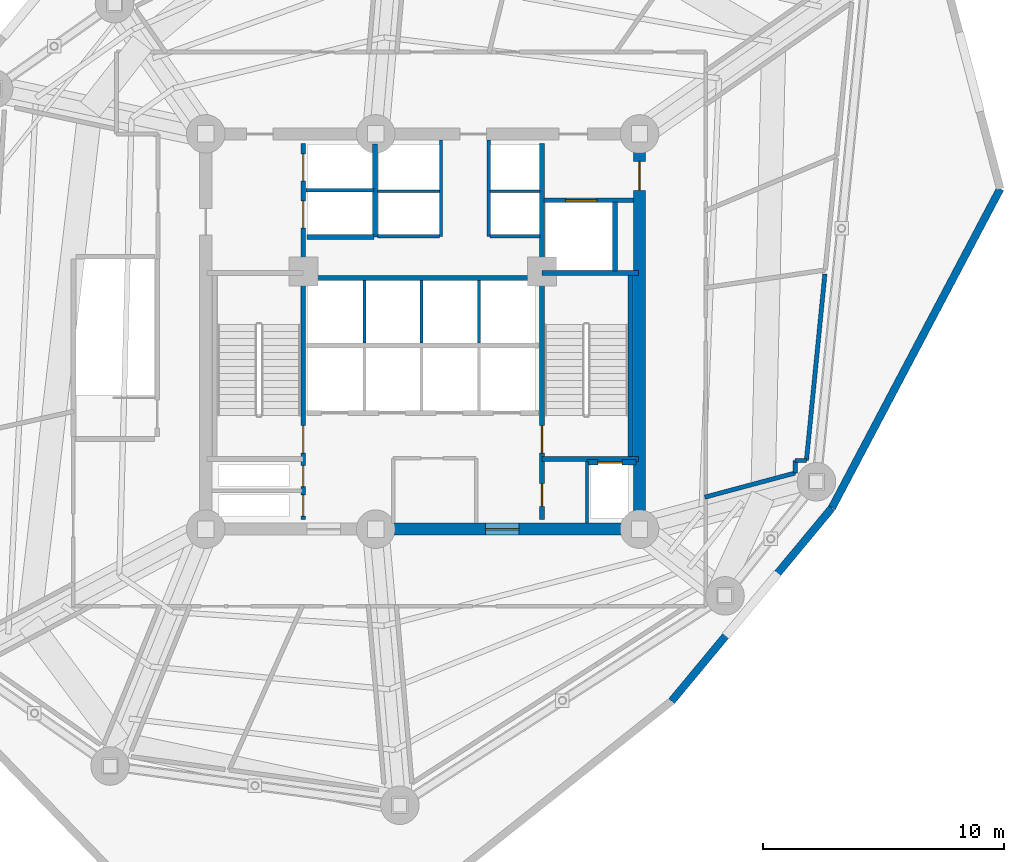
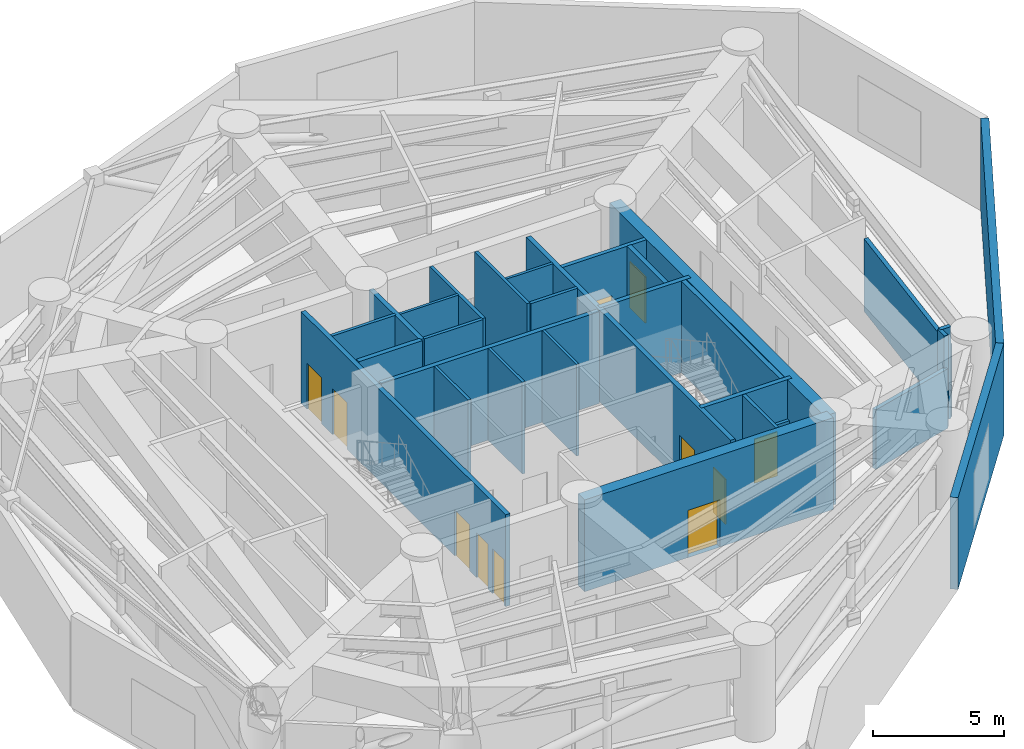
# One storey, part 8 of 13: 30 walls, 11 doors, 11 openings.
"""IFC4 building model written with IfcOpenShell, lengths in metres."""

from ifc_helpers import new_model, si_unit, direction, frame, frame_2d, origin, origin_with_axes, place, context, subcontext, project, spatial, rectangle, extrude, source, transform, mapped, material, layer, layer_set, type_object, element, fill, save


model = new_model("IFC4")

# Units and contexts
model_context = context("Model", 3, precision=1e-05, world=origin(), true_north=direction((0.0, 1.0)))
body_context = subcontext(model_context, "Body", "Model", "MODEL_VIEW")
ifc_project = project(units=[si_unit("LENGTHUNIT", "METRE"), si_unit("AREAUNIT", "SQUARE_METRE"), si_unit("VOLUMEUNIT", "CUBIC_METRE"), si_unit("PLANEANGLEUNIT", "RADIAN"), si_unit("MASSUNIT", "GRAM", prefix="KILO")], contexts=[model_context])

# Site, building, storey
site_placement = place(None, origin())
site = spatial("IfcSite", under=ifc_project, at=site_placement, CompositionType="ELEMENT")
building_placement = place(site_placement, origin())
building = spatial("IfcBuilding", under=site, at=building_placement, Name="Karkom Vertical University and Central Library", CompositionType="ELEMENT")
storey_placement = place(building_placement, frame((0.0, 0.0, 87.699951171875)))
storey = spatial("IfcBuildingStorey", under=building, at=storey_placement, Name="P23", CompositionType="ELEMENT", Elevation=87.699951171875)

# Walls
ifc_material_1 = material(Name="Brick-faced precast concrete C45/55", Category="masonry")
ifc_layer_1 = layer(ifc_material_1, 0.320068359375)
ifc_layer_set_1 = layer_set([ifc_layer_1], Name="Brick-faced precast concrete C45/55")
wall_type_1 = type_object("IfcWallType", Name="ENV-WL-BRK-320", PredefinedType="SOLIDWALL", material=ifc_layer_set_1)
wall_1_placement = place(storey_placement, frame((38.831298828125, 11.164306640625, 0.0), z_axis=(0.0, 0.0, 1.0), x_axis=(0.638490036226, 0.769630088835, 0.0)))
element("IfcWall", 1, at=wall_1_placement, inside=storey, type_object=wall_type_1, Name="Plant Level 23 Brick-Faced Precast Facade Wall 07", PredefinedType="SOLIDWALL", context=body_context, shape_type="SweptSolid", body=[
    extrude(rectangle(XDim=10.412353515625, YDim=0.320068359375, at=frame_2d((5.2060546875, 0.0))), origin(), (0.0, 0.0, 1.0), 4.275146484375),
])
wall_2_placement = place(storey_placement, frame((45.4794921875, 19.177978515625, 0.0), z_axis=(0.0, 0.0, 1.0), x_axis=(0.466622267034, 0.884456703241, 0.0)))
element("IfcWall", 2, at=wall_2_placement, inside=storey, type_object=wall_type_1, Name="Plant Level 23 Brick-Faced Precast Facade Wall 08", PredefinedType="SOLIDWALL", context=body_context, shape_type="SweptSolid", body=[
    extrude(rectangle(XDim=14.977294921875, YDim=0.320068359375, at=frame_2d((7.48876953125, 0.0))), origin(), (0.0, 0.0, 1.0), 4.275146484375),
])
ifc_material_2 = material(Name="Moisture-resistant drywall 120mm", Category="gypsum")
ifc_layer_2 = layer(ifc_material_2, 0.1201171875)
ifc_layer_set_2 = layer_set([ifc_layer_2], Name="Moisture-resistant drywall 120mm")
wall_type_2 = type_object("IfcWallType", Name="INT-WL-INT-120H", PredefinedType="PARTITIONING", material=ifc_layer_set_2)
for number, where, z_axis, x_axis, name in (
    (3, (26.080078125, 26.02001953125, 0.0), (0.0, 0.0, 1.0), (0.0, 1.0, 0.0), "Plant Level 23 Interior Partition Wall P23-CW-PM-DIV1"),
    (4, (28.4599609375, 26.02001953125, 0.0), (0.0, 0.0, 1.0), (0.0, 1.0, 0.0), "Plant Level 23 Interior Partition Wall P23-CW-PM-DIV2"),
    (5, (30.840087890625, 26.02001953125, 0.0), (0.0, 0.0, 1.0), (0.0, 1.0, 0.0), "Plant Level 23 Interior Partition Wall P23-CW-PM-DIV3"),
):
    element("IfcWall", number, at=place(storey_placement, frame(where, z_axis=z_axis, x_axis=x_axis)), inside=storey, type_object=wall_type_2, Name=name, PredefinedType="PARTITIONING", context=body_context, shape_type="SweptSolid", body=[
        extrude(rectangle(XDim=2.60009765625, YDim=0.1201171875, at=frame_2d((1.300048828125, 0.0))), origin(), (0.0, 0.0, 1.0), 4.275146484375),
    ])
wall_3_placement = place(storey_placement, frame((26.6201171875, 32.320068359375, 0.0), z_axis=(0.0, 0.0, 1.0), x_axis=(1.0, 0.0, 0.0)))
element("IfcWall", 6, at=wall_3_placement, inside=storey, type_object=wall_type_2, Name="Plant Level 23 Interior Partition Wall P23-CW-PH-MW", PredefinedType="PARTITIONING", context=body_context, shape_type="SweptSolid", body=[
    extrude(rectangle(XDim=2.579833984375, YDim=0.1201171875, at=frame_2d((1.2900390625, 0.0))), origin(), (0.0, 0.0, 1.0), 4.275146484375),
])
wall_4_placement = place(storey_placement, frame((31.300048828125, 32.320068359375, 0.0), z_axis=(0.0, 0.0, 1.0), x_axis=(1.0, 0.0, 0.0)))
element("IfcWall", 7, at=wall_4_placement, inside=storey, type_object=wall_type_2, Name="Plant Level 23 Interior Partition Wall P23-CW-PH-ME", PredefinedType="PARTITIONING", context=body_context, shape_type="SweptSolid", body=[
    extrude(rectangle(XDim=2.074951171875, YDim=0.1201171875, at=frame_2d((1.03759765625, 0.0))), origin(), (0.0, 0.0, 1.0), 4.275146484375),
])
ifc_material_3 = material(Name="Metal-stud gypsum partition 140mm", Category="gypsum")
ifc_layer_3 = layer(ifc_material_3, 0.139892578125)
ifc_layer_set_3 = layer_set([ifc_layer_3], Name="Metal-stud gypsum partition 140mm")
wall_type_3 = type_object("IfcWallType", Name="INT-WL-SUB-140H", PredefinedType="PARTITIONING", material=ifc_layer_set_3)
for number, where, z_axis, x_axis, name in (
    (8, (29.260009765625, 30.449951171875, 0.0), (0.0, 0.0, 1.0), (0.0, 1.0, 0.0), "Plant Level 23 Interior Partition Wall P23-CW-PH-W"),
    (9, (31.239990234375, 30.449951171875, 0.0), (0.0, 0.0, 1.0), (0.0, 1.0, 0.0), "Plant Level 23 Interior Partition Wall P23-CW-PH-E"),
):
    element("IfcWall", number, at=place(storey_placement, frame(where, z_axis=z_axis, x_axis=x_axis)), inside=storey, type_object=wall_type_3, Name=name, PredefinedType="PARTITIONING", context=body_context, shape_type="SweptSolid", body=[
        extrude(rectangle(XDim=3.9931640625, YDim=0.139892578125, at=frame_2d((1.99658203125, 0.0))), origin(), (0.0, 0.0, 1.0), 4.275146484375),
    ])
wall_5_placement = place(storey_placement, frame((26.6201171875, 30.449951171875, 0.0), z_axis=(0.0, 0.0, 1.0), x_axis=(1.0, 0.0, 0.0)))
element("IfcWall", 10, at=wall_5_placement, inside=storey, type_object=wall_type_3, Name="Plant Level 23 Interior Partition Wall P23-CW-PH-S1", PredefinedType="PARTITIONING", context=body_context, shape_type="SweptSolid", body=[
    extrude(rectangle(XDim=2.579833984375, YDim=0.139892578125, at=frame_2d((1.2900390625, 0.0))), origin(), (0.0, 0.0, 1.0), 4.275146484375),
])
wall_6_placement = place(storey_placement, frame((35.320068359375, 18.556884765625, 0.0), z_axis=(0.0, 0.0, 1.0), x_axis=(0.0, 1.0, 0.0)))
element("IfcWall", 11, at=wall_6_placement, inside=storey, type_object=wall_type_3, Name="Plant Level 23 Interior Partition Wall P23-CW-RIS-E", PredefinedType="PARTITIONING", context=body_context, shape_type="SweptSolid", body=[
    extrude(rectangle(XDim=2.541015625, YDim=0.139892578125, at=frame_2d((1.2705078125, 0.0))), origin(), (0.0, 0.0, 1.0), 4.275146484375),
])
wall_7_placement = place(storey_placement, frame((31.300048828125, 30.449951171875, 0.0), z_axis=(0.0, 0.0, 1.0), x_axis=(1.0, 0.0, 0.0)))
element("IfcWall", 12, at=wall_7_placement, inside=storey, type_object=wall_type_3, Name="Plant Level 23 Interior Partition Wall P23-CW-PH-S2", PredefinedType="PARTITIONING", context=body_context, shape_type="SweptSolid", body=[
    extrude(rectangle(XDim=2.074951171875, YDim=0.139892578125, at=frame_2d((1.03759765625, 0.0))), origin(), (0.0, 0.0, 1.0), 4.275146484375),
])
ifc_layer_4 = layer(ifc_material_3, 0.139892578125)
ifc_layer_set_4 = layer_set([ifc_layer_4], Name="Metal-stud gypsum partition 140mm")
wall_type_4 = type_object("IfcWallType", Name="INT-WL-SUB-140X", PredefinedType="PARTITIONING", material=ifc_layer_set_4)
wall_8_placement = place(storey_placement, frame((23.652099609375, 32.3701171875, 0.0), z_axis=(0.0, 0.0, 1.0), x_axis=(1.0, 0.0, 0.0)))
element("IfcWall", 13, at=wall_8_placement, inside=storey, type_object=wall_type_4, Name="Plant Level 23 Interior Partition Wall P23-CW-FFL-M", PredefinedType="PARTITIONING", context=body_context, shape_type="SweptSolid", body=[
    extrude(rectangle(XDim=2.827880859375, YDim=0.139892578125, at=frame_2d((1.4140625, 0.0))), origin(), (0.0, 0.0, 1.0), 4.275146484375),
])
ifc_material_4 = material(Name="Twin-stud acoustic drywall 180mm", Category="gypsum")
ifc_layer_5 = layer(ifc_material_4, 0.179931640625)
ifc_layer_set_5 = layer_set([ifc_layer_5], Name="Twin-stud acoustic drywall 180mm")
wall_type_5 = type_object("IfcWallType", Name="INT-WL-TEN-180F", PredefinedType="PARTITIONING", material=ifc_layer_set_5)
wall_9_placement = place(storey_placement, frame((45.191162109375, 28.890380859375, 0.0), z_axis=(0.0, 0.0, 1.0), x_axis=(-0.098394630049, -0.995147474889, 0.0)))
element("IfcWall", 14, at=wall_9_placement, inside=storey, type_object=wall_type_5, Name="Plant Level 23 Interior Partition Wall P23-PLCHW-020", PredefinedType="PARTITIONING", context=body_context, shape_type="SweptSolid", body=[
    extrude(rectangle(XDim=7.78125, YDim=0.179931640625, at=frame_2d((3.890625, 0.0))), origin(), (0.0, 0.0, 1.0), 3.375),
])
wall_10_placement = place(storey_placement, frame((43.9609375, 20.631591796875, 0.0), z_axis=(0.0, 0.0, 1.0), x_axis=(-0.965934033561, -0.258788413205, 0.0)))
element("IfcWall", 15, at=wall_10_placement, inside=storey, type_object=wall_type_5, Name="Plant Level 23 Interior Partition Wall P23-PLCHW-018", PredefinedType="PARTITIONING", context=body_context, shape_type="SweptSolid", body=[
    extrude(rectangle(XDim=3.88671875, YDim=0.179931640625, at=frame_2d((1.943359375, 0.0))), origin(), (0.0, 0.0, 1.0), 2.775146484375),
])

# Wall, opening, door
wall_11_placement = place(storey_placement, frame((33.534912109375, 31.949951171875, 0.0), z_axis=(0.0, 0.0, 1.0), x_axis=(1.0, 0.0, 0.0)))
wall_11 = element("IfcWall", 16, at=wall_11_placement, inside=storey, type_object=wall_type_5, Name="Plant Level 23 Interior Partition Wall P23-CW-SVL-N", PredefinedType="PARTITIONING", context=body_context, shape_type="SweptSolid", body=[
    extrude(rectangle(XDim=3.708740234375, YDim=0.179931640625, at=frame_2d((1.8544921875, 0.0))), origin(), (0.0, 0.0, 1.0), 4.275146484375),
])
opening_1_placement = place(wall_11_placement, frame((0.89990234375, 0.0, 0.0)))
opening_1 = element("IfcOpeningElement", 17, at=opening_1_placement, cuts=wall_11, Name="Opening LD-SV1", PredefinedType="OPENING", context=body_context, shape_type="SweptSolid", body=[
    extrude(rectangle(XDim=1.300048828125, YDim=2.199951171875, at=frame_2d((0.64990234375, 1.10009765625))), frame((0.0, 0.10009765625, 0.0), z_axis=(0.0, -1.0, 0.0), x_axis=(1.0, 0.0, 0.0)), (0.0, 0.0, 1.0), 0.199951171875),
])
ifc_material_5 = material(Name="Brushed stainless-steel landing door", Category="steel")
door_type_1 = type_object("IfcDoorType", Name="INT-DR-LD-SV1", OperationType="SLIDING_TO_LEFT", PredefinedType="DOOR", material=ifc_material_5)
shared_shape_1 = source(origin_with_axes(), body_context, "Body", "SweptSolid", [
    extrude(rectangle(XDim=1.300048828125, YDim=2.199951171875, at=frame_2d((0.64990234375, 1.10009765625))), frame((0.0, 0.02490234375, 0.0), z_axis=(0.0, -1.0, 0.0), x_axis=(1.0, 0.0, 0.0)), (0.0, 0.0, 1.0), 0.050048828125),
])
door_1_placement = place(opening_1_placement, origin())
door_1 = element("IfcDoor", 18, at=door_1_placement, inside=storey, type_object=door_type_1, Name="Plant Level 23 Service Lift Landing Door LD-SV1", OperationType="SLIDING_TO_LEFT", OverallHeight=2.199951171875, OverallWidth=1.300048828125, PredefinedType="DOOR", context=body_context, shape_type="MappedRepresentation", body=[
    mapped(shared_shape_1, transform((0.0, 0.0, 0.0), scale=1.0)),
])
fill(opening_1, door_1)

# Walls
wall_12_placement = place(storey_placement, frame((43.9609375, 21.14697265625, 0.0), z_axis=(0.0, 0.0, 1.0), x_axis=(0.0, -1.0, 0.0)))
element("IfcWall", 19, at=wall_12_placement, inside=storey, type_object=wall_type_5, Name="Plant Level 23 Interior Partition Wall P23-PLCHW-017", PredefinedType="PARTITIONING", context=body_context, shape_type="SweptSolid", body=[
    extrude(rectangle(XDim=0.515380859375, YDim=0.179931640625, at=frame_2d((0.2578125, 0.0))), origin(), (0.0, 0.0, 1.0), 4.275146484375),
])
wall_13_placement = place(storey_placement, frame((44.425537109375, 21.14697265625, 0.0), z_axis=(0.0, 0.0, 1.0), x_axis=(-1.0, 0.0, 0.0)))
element("IfcWall", 20, at=wall_13_placement, inside=storey, type_object=wall_type_5, Name="Plant Level 23 Interior Partition Wall P23-PLCHW-016", PredefinedType="PARTITIONING", context=body_context, shape_type="SweptSolid", body=[
    extrude(rectangle(XDim=0.464599609375, YDim=0.179931640625, at=frame_2d((0.232421875, 0.0))), origin(), (0.0, 0.0, 1.0), 4.275146484375),
])

# Wall, opening, door
ifc_material_6 = material(Name="Concrete C45/55", Category="concrete")
ifc_layer_6 = layer(ifc_material_6, 0.219970703125)
ifc_layer_set_6 = layer_set([ifc_layer_6], Name="Concrete C45/55")
wall_type_6 = type_object("IfcWallType", Name="STR-WL-CW-220", PredefinedType="SHEAR", material=ifc_layer_set_6)
wall_14_placement = place(storey_placement, frame((35.320068359375, 21.080078125, 0.0), z_axis=(0.0, 0.0, 1.0), x_axis=(1.0, 0.0, 0.0)))
wall_14 = element("IfcWall", 21, at=wall_14_placement, inside=storey, type_object=wall_type_6, Name="Plant Level 23 Duct Riser Access Wall 1", PredefinedType="SHEAR", context=body_context, shape_type="SweptSolid", body=[
    extrude(rectangle(XDim=2.030029296875, YDim=0.219970703125, at=frame_2d((1.01513671875, 0.0))), origin(), (0.0, 0.0, 1.0), 2.449951171875),
])
opening_2_placement = place(wall_14_placement, frame((0.449951171875, 0.0, 0.0)))
opening_2 = element("IfcOpeningElement", 22, at=opening_2_placement, cuts=wall_14, Name="Opening HD-1", PredefinedType="OPENING", context=body_context, shape_type="SweptSolid", body=[
    extrude(rectangle(XDim=1.0, YDim=2.050048828125, at=frame_2d((0.5, 1.02490234375))), frame((0.0, 0.1201171875, 0.0), z_axis=(0.0, -1.0, 0.0), x_axis=(1.0, 0.0, 0.0)), (0.0, 0.0, 1.0), 0.239990234375),
])
ifc_material_7 = material(Name="Insulated aluminium riser access door", Category="aluminium")
door_type_2 = type_object("IfcDoorType", Name="ENV-DR-HTCH", OperationType="SINGLE_SWING_LEFT", PredefinedType="TRAPDOOR", material=ifc_material_7)
shared_shape_2 = source(origin_with_axes(), body_context, "Body", "SweptSolid", [
    extrude(rectangle(XDim=1.0, YDim=2.050048828125, at=frame_2d((0.5, 1.02490234375))), frame((0.0, 0.02490234375, 0.0), z_axis=(0.0, -1.0, 0.0), x_axis=(1.0, 0.0, 0.0)), (0.0, 0.0, 1.0), 0.050048828125),
])
door_2_placement = place(opening_2_placement, origin())
door_2 = element("IfcDoor", 23, at=door_2_placement, inside=storey, type_object=door_type_2, Name="Plant Level 23 Maintenance Riser Access Hatch Door 1", OperationType="SINGLE_SWING_LEFT", OverallHeight=2.050048828125, OverallWidth=1.0, PredefinedType="TRAPDOOR", context=body_context, shape_type="MappedRepresentation", body=[
    mapped(shared_shape_2, transform((0.0, 0.0, 0.0), scale=1.0)),
])
fill(opening_2, door_2)

ifc_material_8 = material(Name="Concrete C50/60", Category="concrete")
ifc_layer_7 = layer(ifc_material_8, 0.5)
ifc_layer_set_7 = layer_set([ifc_layer_7], Name="Concrete C50/60")
wall_type_7 = type_object("IfcWallType", Name="STR-WL-CW-500", PredefinedType="SHEAR", material=ifc_layer_set_7)
wall_15_placement = place(storey_placement, frame((26.550048828125, 18.300048828125, 0.0), z_axis=(0.0, 0.0, 1.0), x_axis=(1.0, 0.0, 0.0)))
wall_15 = element("IfcWall", 24, at=wall_15_placement, inside=storey, type_object=wall_type_7, Name="Plant Level 23 Central Core Shear Wall SW2", PredefinedType="SHEAR", context=body_context, shape_type="SweptSolid", body=[
    extrude(rectangle(XDim=10.949951171875, YDim=0.5, at=frame_2d((5.47509765625, 0.0))), origin(), (0.0, 0.0, 1.0), 4.275146484375),
])
opening_3_placement = place(wall_15_placement, frame((4.550048828125, 0.0, 0.0)))
opening_3 = element("IfcOpeningElement", 25, at=opening_3_placement, cuts=wall_15, Name="Opening FD-CLB", PredefinedType="OPENING", context=body_context, shape_type="SweptSolid", body=[
    extrude(rectangle(XDim=1.39990234375, YDim=2.199951171875, at=frame_2d((0.699951171875, 1.10009765625))), frame((0.0, 0.260009765625, 0.0), z_axis=(0.0, -1.0, 0.0), x_axis=(1.0, 0.0, 0.0)), (0.0, 0.0, 1.0), 0.52001953125),
])
ifc_material_9 = material(Name="Painted steel fire door", Category="steel")
door_type_3 = type_object("IfcDoorType", Name="INT-DR-CLB", OperationType="DOUBLE_DOOR_SINGLE_SWING", PredefinedType="DOOR", material=ifc_material_9)
shared_shape_3 = source(origin_with_axes(), body_context, "Body", "SweptSolid", [
    extrude(rectangle(XDim=1.39990234375, YDim=2.199951171875, at=frame_2d((0.699951171875, 1.10009765625))), frame((0.0, 0.02490234375, 0.0), z_axis=(0.0, -1.0, 0.0), x_axis=(1.0, 0.0, 0.0)), (0.0, 0.0, 1.0), 0.050048828125),
])
door_3_placement = place(opening_3_placement, origin())
door_3 = element("IfcDoor", 26, at=door_3_placement, inside=storey, type_object=door_type_3, Name="Plant Level 23 South Core Lobby East Exit Door", OperationType="DOUBLE_DOOR_SINGLE_SWING", OverallHeight=2.199951171875, OverallWidth=1.39990234375, PredefinedType="DOOR", context=body_context, shape_type="MappedRepresentation", body=[
    mapped(shared_shape_3, transform((0.0, 0.0, 0.0), scale=1.0)),
])
fill(opening_3, door_3)

wall_16_placement = place(storey_placement, frame((37.5, 18.300048828125, 0.0), z_axis=(0.0, 0.0, 1.0), x_axis=(0.0, 1.0, 0.0)))
wall_16 = element("IfcWall", 27, at=wall_16_placement, inside=storey, type_object=wall_type_7, Name="Plant Level 23 Central Core Shear Wall EW", PredefinedType="SHEAR", context=body_context, shape_type="SweptSolid", body=[
    extrude(rectangle(XDim=16.39990234375, YDim=0.5, at=frame_2d((8.199951171875, 0.0))), origin(), (0.0, 0.0, 1.0), 4.275146484375),
])
opening_4_placement = place(wall_16_placement, frame((14.06005859375, 0.0, 0.0)))
opening_4 = element("IfcOpeningElement", 28, at=opening_4_placement, cuts=wall_16, Name="Opening FD-SUB1", PredefinedType="OPENING", context=body_context, shape_type="SweptSolid", body=[
    extrude(rectangle(XDim=1.199951171875, YDim=2.14990234375, at=frame_2d((0.60009765625, 1.074951171875))), frame((0.0, 0.260009765625, 0.0), z_axis=(0.0, -1.0, 0.0), x_axis=(1.0, 0.0, 0.0)), (0.0, 0.0, 1.0), 0.52001953125),
])
door_type_4 = type_object("IfcDoorType", Name="INT-DR-SUB1", OperationType="NOTDEFINED", PredefinedType="DOOR", material=ifc_material_9)
shared_shape_4 = source(origin_with_axes(), body_context, "Body", "SweptSolid", [
    extrude(rectangle(XDim=1.199951171875, YDim=2.14990234375, at=frame_2d((0.60009765625, 1.074951171875))), frame((0.0, 0.02490234375, 0.0), z_axis=(0.0, -1.0, 0.0), x_axis=(1.0, 0.0, 0.0)), (0.0, 0.0, 1.0), 0.050048828125),
])
door_4_placement = place(opening_4_placement, origin())
door_4 = element("IfcDoor", 29, at=door_4_placement, inside=storey, type_object=door_type_4, Name="Plant Level 23 East Corridor Service Lobby Door", OperationType="SINGLE_SWING_LEFT", OverallHeight=2.14990234375, OverallWidth=1.199951171875, PredefinedType="DOOR", context=body_context, shape_type="MappedRepresentation", body=[
    mapped(shared_shape_4, transform((0.0, 0.0, 0.0), scale=1.0)),
])
fill(opening_4, door_4)

# Wall, openings, doors
ifc_layer_8 = layer(ifc_material_6, 0.199951171875)
ifc_layer_set_8 = layer_set([ifc_layer_8], Name="Concrete C45/55")
wall_type_8 = type_object("IfcWallType", Name="STR-WL-ST-200", PredefinedType="SHEAR", material=ifc_layer_set_8)
wall_17_placement = place(storey_placement, frame((23.544921875, 18.699951171875, 0.0), z_axis=(0.0, 0.0, 1.0), x_axis=(0.0, 1.0, 0.0)))
wall_17 = element("IfcWall", 30, at=wall_17_placement, inside=storey, type_object=wall_type_8, Name="Plant Level 23 Core Shaft Wall P23-CW-ST1-E", PredefinedType="SHEAR", context=body_context, shape_type="SweptSolid", body=[
    extrude(rectangle(XDim=15.60009765625, YDim=0.199951171875, at=frame_2d((7.800048828125, 0.0))), origin(), (0.0, 0.0, 1.0), 4.275146484375),
])
opening_5_placement = place(wall_17_placement, frame((2.75, 0.0, 0.0)))
opening_5 = element("IfcOpeningElement", 31, at=opening_5_placement, cuts=wall_17, Name="Opening FD-ST1", PredefinedType="OPENING", context=body_context, shape_type="SweptSolid", body=[
    extrude(rectangle(XDim=1.14990234375, YDim=2.14990234375, at=frame_2d((0.574951171875, 1.074951171875))), frame((0.0, 0.10986328125, 0.0), z_axis=(0.0, -1.0, 0.0), x_axis=(1.0, 0.0, 0.0)), (0.0, 0.0, 1.0), 0.219970703125),
])
opening_6_placement = place(wall_17_placement, frame((0.139892578125, 0.0, 0.0)))
opening_6 = element("IfcOpeningElement", 32, at=opening_6_placement, cuts=wall_17, Name="Opening FD-RIS", PredefinedType="OPENING", context=body_context, shape_type="SweptSolid", body=[
    extrude(rectangle(XDim=0.8798828125, YDim=2.10009765625, at=frame_2d((0.43994140625, 1.050048828125))), frame((0.0, 0.10986328125, 0.0), z_axis=(0.0, -1.0, 0.0), x_axis=(1.0, 0.0, 0.0)), (0.0, 0.0, 1.0), 0.219970703125),
])
opening_7_placement = place(wall_17_placement, frame((1.360107421875, 0.0, 0.0)))
opening_7 = element("IfcOpeningElement", 33, at=opening_7_placement, cuts=wall_17, Name="Opening FD-RIS", PredefinedType="OPENING", context=body_context, shape_type="SweptSolid", body=[
    extrude(rectangle(XDim=0.8798828125, YDim=2.10009765625, at=frame_2d((0.43994140625, 1.050048828125))), frame((0.0, 0.10986328125, 0.0), z_axis=(0.0, -1.0, 0.0), x_axis=(1.0, 0.0, 0.0)), (0.0, 0.0, 1.0), 0.219970703125),
])
opening_8_placement = place(wall_17_placement, frame((12.10009765625, 0.0, 0.0)))
opening_8 = element("IfcOpeningElement", 34, at=opening_8_placement, cuts=wall_17, Name="Opening LD-FFL", PredefinedType="OPENING", context=body_context, shape_type="SweptSolid", body=[
    extrude(rectangle(XDim=1.1201171875, YDim=2.14990234375, at=frame_2d((0.56005859375, 1.074951171875))), frame((0.0, 0.10986328125, 0.0), z_axis=(0.0, -1.0, 0.0), x_axis=(1.0, 0.0, 0.0)), (0.0, 0.0, 1.0), 0.219970703125),
])
opening_9_placement = place(wall_17_placement, frame((14.050048828125, 0.0, 0.0)))
opening_9 = element("IfcOpeningElement", 35, at=opening_9_placement, cuts=wall_17, Name="Opening LD-FFL", PredefinedType="OPENING", context=body_context, shape_type="SweptSolid", body=[
    extrude(rectangle(XDim=1.1201171875, YDim=2.14990234375, at=frame_2d((0.56005859375, 1.074951171875))), frame((0.0, 0.10986328125, 0.0), z_axis=(0.0, -1.0, 0.0), x_axis=(1.0, 0.0, 0.0)), (0.0, 0.0, 1.0), 0.219970703125),
])
ifc_material_10 = material(Name="Painted steel acoustic fire door", Category="steel")
door_type_5 = type_object("IfcDoorType", Name="INT-DR-ST1", OperationType="NOTDEFINED", PredefinedType="DOOR", material=ifc_material_10)
shared_shape_5 = source(origin_with_axes(), body_context, "Body", "SweptSolid", [
    extrude(rectangle(XDim=1.14990234375, YDim=2.14990234375, at=frame_2d((0.574951171875, 1.074951171875))), frame((0.0, 0.02490234375, 0.0), z_axis=(0.0, -1.0, 0.0), x_axis=(1.0, 0.0, 0.0)), (0.0, 0.0, 1.0), 0.050048828125),
])
door_5_placement = place(opening_5_placement, origin())
door_5 = element("IfcDoor", 36, at=door_5_placement, inside=storey, type_object=door_type_5, Name="Plant Level 23 Stair ST-1 Fire Door", OperationType="SINGLE_SWING_LEFT", OverallHeight=2.14990234375, OverallWidth=1.14990234375, PredefinedType="DOOR", context=body_context, shape_type="MappedRepresentation", body=[
    mapped(shared_shape_5, transform((0.0, 0.0, 0.0), scale=1.0)),
])
fill(opening_5, door_5)
ifc_material_11 = material(Name="Painted steel riser access door", Category="steel")
door_type_6 = type_object("IfcDoorType", Name="INT-DR-RIS", OperationType="NOTDEFINED", PredefinedType="DOOR", material=ifc_material_11)
shared_shape_6 = source(origin_with_axes(), body_context, "Body", "SweptSolid", [
    extrude(rectangle(XDim=0.8798828125, YDim=2.10009765625, at=frame_2d((0.43994140625, 1.050048828125))), frame((0.0, 0.02490234375, 0.0), z_axis=(0.0, -1.0, 0.0), x_axis=(1.0, 0.0, 0.0)), (0.0, 0.0, 1.0), 0.050048828125),
])
door_6_placement = place(opening_6_placement, origin())
door_6 = element("IfcDoor", 37, at=door_6_placement, inside=storey, type_object=door_type_6, Name="Plant Level 23 Electrical Riser Access Door", OperationType="SINGLE_SWING_LEFT", OverallHeight=2.10009765625, OverallWidth=0.8798828125, PredefinedType="DOOR", context=body_context, shape_type="MappedRepresentation", body=[
    mapped(shared_shape_6, transform((0.0, 0.0, 0.0), scale=1.0)),
])
fill(opening_6, door_6)
door_7_placement = place(opening_7_placement, origin())
door_7 = element("IfcDoor", 38, at=door_7_placement, inside=storey, type_object=door_type_6, Name="Plant Level 23 Telecom Riser Access Door", OperationType="SINGLE_SWING_RIGHT", OverallHeight=2.10009765625, OverallWidth=0.8798828125, PredefinedType="DOOR", context=body_context, shape_type="MappedRepresentation", body=[
    mapped(shared_shape_6, transform((0.0, 0.0, 0.0), scale=1.0)),
])
fill(opening_7, door_7)
ifc_material_12 = material(Name="Fire-rated stainless-steel landing door", Category="steel")
door_type_7 = type_object("IfcDoorType", Name="INT-DR-LD-FFL", OperationType="SLIDING_TO_LEFT", PredefinedType="DOOR", material=ifc_material_12)
shared_shape_7 = source(origin_with_axes(), body_context, "Body", "SweptSolid", [
    extrude(rectangle(XDim=1.1201171875, YDim=2.14990234375, at=frame_2d((0.56005859375, 1.074951171875))), frame((0.0, 0.02490234375, 0.0), z_axis=(0.0, -1.0, 0.0), x_axis=(1.0, 0.0, 0.0)), (0.0, 0.0, 1.0), 0.050048828125),
])
door_8_placement = place(opening_8_placement, origin())
door_8 = element("IfcDoor", 39, at=door_8_placement, inside=storey, type_object=door_type_7, Name="Plant Level 23 Firefighting Lift FFL-1 Landing Door", OperationType="SLIDING_TO_LEFT", OverallHeight=2.14990234375, OverallWidth=1.1201171875, PredefinedType="DOOR", context=body_context, shape_type="MappedRepresentation", body=[
    mapped(shared_shape_7, transform((0.0, 0.0, 0.0), scale=1.0)),
])
fill(opening_8, door_8)
door_9_placement = place(opening_9_placement, origin())
door_9 = element("IfcDoor", 40, at=door_9_placement, inside=storey, type_object=door_type_7, Name="Plant Level 23 Firefighting Lift FFL-2 Landing Door", OperationType="SLIDING_TO_RIGHT", OverallHeight=2.14990234375, OverallWidth=1.1201171875, PredefinedType="DOOR", context=body_context, shape_type="MappedRepresentation", body=[
    mapped(shared_shape_7, transform((0.0, 0.0, 0.0), scale=1.0)),
])
fill(opening_9, door_9)

wall_18_placement = place(storey_placement, frame((33.455078125, 18.699951171875, 0.0), z_axis=(0.0, 0.0, 1.0), x_axis=(0.0, 1.0, 0.0)))
wall_18 = element("IfcWall", 41, at=wall_18_placement, inside=storey, type_object=wall_type_8, Name="Plant Level 23 Core Shaft Wall P23-CW-ST2-W", PredefinedType="SHEAR", context=body_context, shape_type="SweptSolid", body=[
    extrude(rectangle(XDim=15.60009765625, YDim=0.199951171875, at=frame_2d((7.800048828125, 0.0))), origin(), (0.0, 0.0, 1.0), 4.275146484375),
])
opening_10_placement = place(wall_18_placement, frame((2.75, 0.0, 0.0)))
opening_10 = element("IfcOpeningElement", 42, at=opening_10_placement, cuts=wall_18, Name="Opening FD-ST1", PredefinedType="OPENING", context=body_context, shape_type="SweptSolid", body=[
    extrude(rectangle(XDim=1.14990234375, YDim=2.14990234375, at=frame_2d((0.574951171875, 1.074951171875))), frame((0.0, 0.10986328125, 0.0), z_axis=(0.0, -1.0, 0.0), x_axis=(1.0, 0.0, 0.0)), (0.0, 0.0, 1.0), 0.219970703125),
])
opening_11_placement = place(wall_18_placement, frame((0.550048828125, 0.0, 0.0)))
opening_11 = element("IfcOpeningElement", 43, at=opening_11_placement, cuts=wall_18, Name="Opening D-WC1", PredefinedType="OPENING", context=body_context, shape_type="SweptSolid", body=[
    extrude(rectangle(XDim=0.93994140625, YDim=2.10009765625, at=frame_2d((0.469970703125, 1.050048828125))), frame((0.0, 0.10986328125, 0.0), z_axis=(0.0, -1.0, 0.0), x_axis=(1.0, 0.0, 0.0)), (0.0, 0.0, 1.0), 0.219970703125),
])
door_10_placement = place(opening_10_placement, origin())
door_10 = element("IfcDoor", 44, at=door_10_placement, inside=storey, type_object=door_type_5, Name="Plant Level 23 Stair ST-2 Fire Door", OperationType="SINGLE_SWING_RIGHT", OverallHeight=2.14990234375, OverallWidth=1.14990234375, PredefinedType="DOOR", context=body_context, shape_type="MappedRepresentation", body=[
    mapped(shared_shape_5, transform((0.0, 0.0, 0.0), scale=1.0)),
])
fill(opening_10, door_10)
ifc_material_13 = material(Name="Fire-rated laminate moisture-resistant door", Category="wood")
door_type_8 = type_object("IfcDoorType", Name="INT-DR-WC1", OperationType="NOTDEFINED", PredefinedType="DOOR", material=ifc_material_13)
shared_shape_8 = source(origin_with_axes(), body_context, "Body", "SweptSolid", [
    extrude(rectangle(XDim=0.93994140625, YDim=2.10009765625, at=frame_2d((0.469970703125, 1.050048828125))), frame((0.0, 0.02490234375, 0.0), z_axis=(0.0, -1.0, 0.0), x_axis=(1.0, 0.0, 0.0)), (0.0, 0.0, 1.0), 0.050048828125),
])
door_11_placement = place(opening_11_placement, origin())
door_11 = element("IfcDoor", 45, at=door_11_placement, inside=storey, type_object=door_type_8, Name="Plant Level 23 Accessible WC Door", OperationType="SINGLE_SWING_LEFT", OverallHeight=2.10009765625, OverallWidth=0.93994140625, PredefinedType="DOOR", context=body_context, shape_type="MappedRepresentation", body=[
    mapped(shared_shape_8, transform((0.0, 0.0, 0.0), scale=1.0)),
])
fill(opening_11, door_11)

# Walls
wall_19_placement = place(storey_placement, frame((23.699951171875, 28.719970703125, 0.0), z_axis=(0.0, 0.0, 1.0), x_axis=(1.0, 0.0, 0.0)))
element("IfcWall", 46, at=wall_19_placement, inside=storey, type_object=wall_type_8, Name="Plant Level 23 Core Shaft Wall P23-CW-B2-N", PredefinedType="SHEAR", context=body_context, shape_type="SweptSolid", body=[
    extrude(rectangle(XDim=9.60009765625, YDim=0.199951171875, at=frame_2d((4.800048828125, 0.0))), origin(), (0.0, 0.0, 1.0), 4.275146484375),
])
wall_20_placement = place(storey_placement, frame((37.125, 21.320068359375, 0.0), z_axis=(0.0, 0.0, 1.0), x_axis=(0.0, 1.0, 0.0)))
element("IfcWall", 47, at=wall_20_placement, inside=storey, type_object=wall_type_8, Name="Plant Level 23 Core Shaft Wall P23-CW-ST2-E", PredefinedType="SHEAR", context=body_context, shape_type="SweptSolid", body=[
    extrude(rectangle(XDim=7.5, YDim=0.199951171875, at=frame_2d((3.75, 0.0))), origin(), (0.0, 0.0, 1.0), 4.275146484375),
])
for number, where, z_axis, x_axis, name in (
    (48, (33.455078125, 21.215087890625, 0.0), (0.0, 0.0, 1.0), (1.0, 0.0, 0.0), "Plant Level 23 Core Shaft Wall P23-CW-ST2-S"),
    (49, (33.455078125, 28.925048828125, 0.0), (0.0, 0.0, 1.0), (1.0, 0.0, 0.0), "Plant Level 23 Core Shaft Wall P23-CW-ST2-N"),
):
    element("IfcWall", number, at=place(storey_placement, frame(where, z_axis=z_axis, x_axis=x_axis)), inside=storey, type_object=wall_type_8, Name=name, PredefinedType="SHEAR", context=body_context, shape_type="SweptSolid", body=[
        extrude(rectangle(XDim=3.994873046875, YDim=0.199951171875, at=frame_2d((1.99755859375, 0.0))), origin(), (0.0, 0.0, 1.0), 4.275146484375),
    ])
wall_21_placement = place(storey_placement, frame((26.52001953125, 30.419921875, 0.0), z_axis=(0.0, 0.0, 1.0), x_axis=(0.0, 1.0, 0.0)))
element("IfcWall", 50, at=wall_21_placement, inside=storey, type_object=wall_type_8, Name="Plant Level 23 Core Shaft Wall P23-CW-FFL-E", PredefinedType="SHEAR", context=body_context, shape_type="SweptSolid", body=[
    extrude(rectangle(XDim=3.860107421875, YDim=0.199951171875, at=frame_2d((1.93017578125, 0.0))), origin(), (0.0, 0.0, 1.0), 4.275146484375),
])
wall_22_placement = place(storey_placement, frame((36.47998046875, 29.02001953125, 0.0), z_axis=(0.0, 0.0, 1.0), x_axis=(0.0, 1.0, 0.0)))
element("IfcWall", 51, at=wall_22_placement, inside=storey, type_object=wall_type_8, Name="Plant Level 23 Core Shaft Wall P23-CW-SVL-E", PredefinedType="SHEAR", context=body_context, shape_type="SweptSolid", body=[
    extrude(rectangle(XDim=2.85986328125, YDim=0.199951171875, at=frame_2d((1.429931640625, 0.0))), origin(), (0.0, 0.0, 1.0), 4.275146484375),
])
wall_23_placement = place(storey_placement, frame((23.699951171875, 30.419921875, 0.0), z_axis=(0.0, 0.0, 1.0), x_axis=(1.0, 0.0, 0.0)))
element("IfcWall", 52, at=wall_23_placement, inside=storey, type_object=wall_type_8, Name="Plant Level 23 Core Shaft Wall P23-CW-FFL-S", PredefinedType="SHEAR", context=body_context, shape_type="SweptSolid", body=[
    extrude(rectangle(XDim=2.780029296875, YDim=0.199951171875, at=frame_2d((1.39013671875, 0.0))), origin(), (0.0, 0.0, 1.0), 4.275146484375),
])

save(model, "model.ifc")
